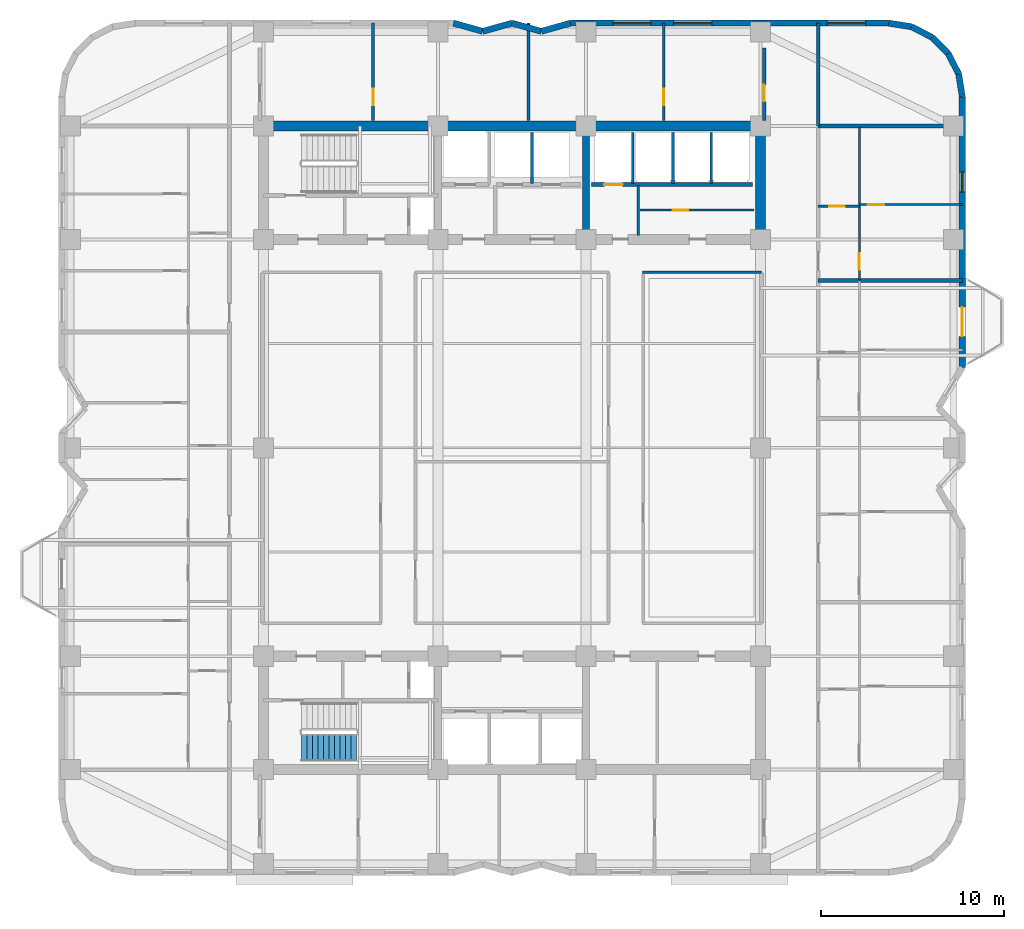
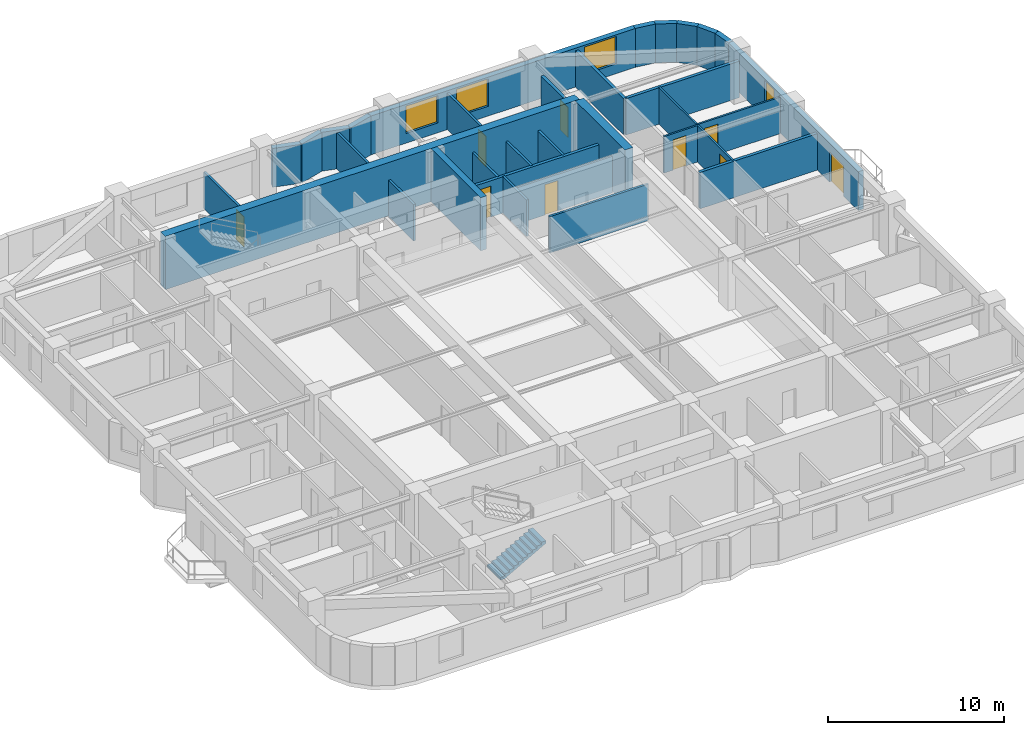
# One storey, part 7 of 11: 32 walls, 9 doors, 4 windows, 1 stair flight, 13 openings, 1 element without a shape of its own.
"""IFC4 building model written with IfcOpenShell, lengths in metres."""

from ifc_helpers import new_model, si_unit, direction, frame, frame_2d, origin, place, context, subcontext, project, spatial, polyline, rectangle, outline, extrude, material, layer, layer_set, type_object, element, fill, aggregate, save


model = new_model("IFC4")

# Units and contexts
model_context = context("Model", 3, precision=1e-05, world=origin(), true_north=direction((0.0, 1.0)))
body_context = subcontext(model_context, "Body", "Model", "MODEL_VIEW")
ifc_project = project(units=[si_unit("LENGTHUNIT", "METRE"), si_unit("AREAUNIT", "SQUARE_METRE"), si_unit("VOLUMEUNIT", "CUBIC_METRE"), si_unit("PLANEANGLEUNIT", "RADIAN"), si_unit("MASSUNIT", "GRAM", prefix="KILO")], contexts=[model_context])

# Site, building, storey
site_placement = place(None, origin())
site = spatial("IfcSite", under=ifc_project, at=site_placement, CompositionType="ELEMENT")
building_placement = place(site_placement, origin())
building = spatial("IfcBuilding", under=site, at=building_placement, Name="Svetorya Sky Lyceum", CompositionType="ELEMENT")
storey_placement = place(building_placement, frame((0.0, 0.0, 106.800048828125)))
storey = spatial("IfcBuildingStorey", under=building, at=storey_placement, Name="L26", CompositionType="ELEMENT", Elevation=106.800048828125)

# Walls
ifc_material_1 = material(Name="Concrete C40/50", Category="concrete")
ifc_layer_1 = layer(ifc_material_1, 0.39990234375)
ifc_layer_set_1 = layer_set([ifc_layer_1], Name="Concrete C40/50")
wall_type_1 = type_object("IfcWallType", Name="WL-CORE-400", PredefinedType="SHEAR", material=ifc_layer_set_1)
wall_1_placement = place(storey_placement, frame((43.25, 39.875, 0.0), z_axis=(0.0, 0.0, 1.0), x_axis=(0.0, 1.0, 0.0)))
element("IfcWall", 1, at=wall_1_placement, inside=storey, type_object=wall_type_1, Name="L26 NC Internal Shear Web WEB2", PredefinedType="SHEAR", context=body_context, shape_type="SweptSolid", body=[
    extrude(rectangle(XDim=5.64990234375, YDim=0.39990234375, at=frame_2d((2.824951171875, 0.0))), origin(), (0.0, 0.0, 1.0), 3.699951171875),
])
ifc_material_2 = material(Name="Concrete C60/75", Category="concrete")
ifc_layer_2 = layer(ifc_material_2, 0.550048828125)
ifc_layer_set_2 = layer_set([ifc_layer_2], Name="Concrete C60/75")
wall_type_2 = type_object("IfcWallType", Name="WL-CORE-550", PredefinedType="SHEAR", material=ifc_layer_set_2)
wall_2_placement = place(storey_placement, frame((25.60009765625, 45.800048828125, 0.0), z_axis=(0.0, 0.0, 1.0), x_axis=(1.0, 0.0, 0.0)))
element("IfcWall", 2, at=wall_2_placement, inside=storey, type_object=wall_type_2, Name="L26 NC Outer Core Shear Wall", PredefinedType="SHEAR", context=body_context, shape_type="SweptSolid", body=[
    extrude(rectangle(XDim=27.199951171875, YDim=0.550048828125, at=frame_2d((13.60009765625, 0.0))), origin(), (0.0, 0.0, 1.0), 3.699951171875),
])
wall_3_placement = place(storey_placement, frame((52.800048828125, 39.875, 0.0), z_axis=(0.0, 0.0, 1.0), x_axis=(0.0, 1.0, 0.0)))
element("IfcWall", 3, at=wall_3_placement, inside=storey, type_object=wall_type_2, Name="L26 NC East Core Shear Wall", PredefinedType="SHEAR", context=body_context, shape_type="SweptSolid", body=[
    extrude(rectangle(XDim=5.64990234375, YDim=0.550048828125, at=frame_2d((2.824951171875, 0.0))), origin(), (0.0, 0.0, 1.0), 3.699951171875),
])

# Wall, openings, door, window
ifc_material_3 = material(Name="Putilovo limestone rainscreen on autoclaved cellular masonry", Category="masonry")
ifc_layer_3 = layer(ifc_material_3, 0.340087890625)
ifc_layer_set_3 = layer_set([ifc_layer_3], Name="Putilovo limestone rainscreen on autoclaved cellular masonry")
wall_type_3 = type_object("IfcWallType", Name="WL-EXT-340", PredefinedType="SOLIDWALL", material=ifc_layer_set_3)
wall_4_placement = place(storey_placement, frame((63.830078125, 32.60009765625, 0.0), z_axis=(0.0, 0.0, 1.0), x_axis=(0.0, 1.0, 0.0)))
wall_4 = element("IfcWall", 4, at=wall_4_placement, inside=storey, type_object=wall_type_3, Name="L26 Limestone Exterior Wall 23M", PredefinedType="SOLIDWALL", context=body_context, shape_type="SweptSolid", body=[
    extrude(rectangle(XDim=14.7998046875, YDim=0.340087890625, at=frame_2d((7.39990234375, 0.0))), origin(), (0.0, 0.0, 1.0), 2.699951171875),
])
opening_1_placement = place(wall_4_placement, frame((1.699951171875, 0.0, 0.0)))
opening_1 = element("IfcOpeningElement", 5, at=opening_1_placement, cuts=wall_4, Name="Opening D-BL1", PredefinedType="OPENING", context=body_context, shape_type="SweptSolid", body=[
    extrude(rectangle(XDim=1.60009765625, YDim=2.10009765625, at=frame_2d((0.800048828125, 1.050048828125))), frame((0.0, 0.179931640625, 0.0), z_axis=(0.0, -1.0, 0.0), x_axis=(1.0, 0.0, 0.0)), (0.0, 0.0, 1.0), 0.360107421875),
])
opening_2_placement = place(wall_4_placement, frame((9.58740234375, 0.0, 0.929931640625)))
opening_2 = element("IfcOpeningElement", 6, at=opening_2_placement, cuts=wall_4, Name="Opening W-R3", PredefinedType="OPENING", context=body_context, shape_type="SweptSolid", body=[
    extrude(rectangle(XDim=1.10009765625, YDim=1.64990234375, at=frame_2d((0.550048828125, 0.824951171875))), frame((0.0, 0.179931640625, 0.0), z_axis=(0.0, -1.0, 0.0), x_axis=(1.0, 0.0, 0.0)), (0.0, 0.0, 1.0), 0.360107421875),
])
ifc_material_4 = material(Name="Insulated glazed aluminium balcony door", Category="aluminium")
door_type_1 = type_object("IfcDoorType", Name="DR-BAL-1600", OperationType="DOUBLE_DOOR_SINGLE_SWING", PredefinedType="DOOR", material=ifc_material_4)
door_1_placement = place(opening_1_placement, origin())
door_1 = element("IfcDoor", 7, at=door_1_placement, inside=storey, type_object=door_type_1, Name="L26 Balcony BAL-E1 Door", OperationType="DOUBLE_DOOR_SINGLE_SWING", OverallHeight=2.10009765625, OverallWidth=1.60009765625, PredefinedType="DOOR", context=body_context, shape_type="SweptSolid", body=[
    extrude(rectangle(XDim=1.60009765625, YDim=2.10009765625, at=frame_2d((0.800048828125, 1.050048828125))), frame((0.0, 0.02490234375, 0.0), z_axis=(0.0, -1.0, 0.0), x_axis=(1.0, 0.0, 0.0)), (0.0, 0.0, 1.0), 0.050048828125),
])
fill(opening_1, door_1)
ifc_material_5 = material(Name="Thermally broken aluminium frame with triple low-E glazing", Category="aluminium")
window_type_1 = type_object("IfcWindowType", Name="WN-RES-110", PartitioningType="SINGLE_PANEL", PredefinedType="WINDOW", material=ifc_material_5)
window_1_placement = place(opening_2_placement, origin())
window_1 = element("IfcWindow", 8, at=window_1_placement, inside=storey, type_object=window_type_1, Name="L26 Facade Window W-R3.23M.1", OverallHeight=1.64990234375, OverallWidth=1.10009765625, PartitioningType="SINGLE_PANEL", PredefinedType="WINDOW", context=body_context, shape_type="SweptSolid", body=[
    extrude(rectangle(XDim=1.10009765625, YDim=1.64990234375, at=frame_2d((0.550048828125, 0.824951171875))), frame((0.0, 0.030029296875, 0.0), z_axis=(0.0, -1.0, 0.0), x_axis=(1.0, 0.0, 0.0)), (0.0, 0.0, 1.0), 0.06005859375),
])
fill(opening_2, window_1)

# Walls
for number, where, z_axis, x_axis, name in (
    (9, (63.830078125, 47.39990234375, 0.0), (0.0, 0.0, 1.0), (-0.15644975923, 0.987685918112, 0.0), "L26 Limestone Exterior Wall 24M"),
    (10, (63.6328125, 48.645263671875, 0.0), (0.0, 0.0, 1.0), (-0.454015689056, 0.890993689142, 0.0), "L26 Limestone Exterior Wall 25M"),
    (11, (63.060302734375, 49.768798828125, 0.0), (0.0, 0.0, 1.0), (-0.707106781187, 0.707106781187, 0.0), "L26 Limestone Exterior Wall 26M"),
):
    element("IfcWall", number, at=place(storey_placement, frame(where, z_axis=z_axis, x_axis=x_axis)), inside=storey, type_object=wall_type_3, Name=name, PredefinedType="SOLIDWALL", context=body_context, shape_type="SweptSolid", body=[
        extrude(rectangle(XDim=1.260986328125, YDim=0.340087890625, at=frame_2d((0.63037109375, 0.0))), origin(), (0.0, 0.0, 1.0), 2.699951171875),
    ])
for number, where, z_axis, x_axis, name in (
    (12, (62.168701171875, 50.660400390625, 0.0), (0.0, 0.0, 1.0), (-0.890953769915, 0.454094020963, 0.0), "L26 Limestone Exterior Wall 27M"),
    (13, (61.04541015625, 51.23291015625, 0.0), (0.0, 0.0, 1.0), (-0.98771582066, 0.156260864002, 0.0), "L26 Limestone Exterior Wall 28M"),
):
    element("IfcWall", number, at=place(storey_placement, frame(where, z_axis=z_axis, x_axis=x_axis)), inside=storey, type_object=wall_type_3, Name=name, PredefinedType="SOLIDWALL", context=body_context, shape_type="SweptSolid", body=[
        extrude(rectangle(XDim=1.2607421875, YDim=0.340087890625, at=frame_2d((0.63037109375, 0.0))), origin(), (0.0, 0.0, 1.0), 2.699951171875),
    ])

# Wall, openings, windows
wall_5_placement = place(storey_placement, frame((59.800048828125, 51.429931640625, 0.0), z_axis=(0.0, 0.0, 1.0), x_axis=(-1.0, 0.0, 0.0)))
wall_5 = element("IfcWall", 14, at=wall_5_placement, inside=storey, type_object=wall_type_3, Name="L26 Limestone Exterior Wall 29M", PredefinedType="SOLIDWALL", context=body_context, shape_type="SweptSolid", body=[
    extrude(rectangle(XDim=17.400146484375, YDim=0.340087890625, at=frame_2d((8.7001953125, 0.0))), origin(), (0.0, 0.0, 1.0), 2.699951171875),
])
opening_3_placement = place(wall_5_placement, frame((1.262451171875, 0.0, 0.679931640625)))
opening_3 = element("IfcOpeningElement", 15, at=opening_3_placement, cuts=wall_5, Name="Opening W-R0", PredefinedType="OPENING", context=body_context, shape_type="SweptSolid", body=[
    extrude(rectangle(XDim=2.10009765625, YDim=1.89990234375, at=frame_2d((1.050048828125, 0.949951171875))), frame((0.0, 0.179931640625, 0.0), z_axis=(0.0, -1.0, 0.0), x_axis=(1.0, 0.0, 0.0)), (0.0, 0.0, 1.0), 0.360107421875),
])
opening_4_placement = place(wall_5_placement, frame((9.66259765625, 0.0, 0.679931640625)))
opening_4 = element("IfcOpeningElement", 16, at=opening_4_placement, cuts=wall_5, Name="Opening W-R0", PredefinedType="OPENING", context=body_context, shape_type="SweptSolid", body=[
    extrude(rectangle(XDim=2.10009765625, YDim=1.89990234375, at=frame_2d((1.050048828125, 0.949951171875))), frame((0.0, 0.179931640625, 0.0), z_axis=(0.0, -1.0, 0.0), x_axis=(1.0, 0.0, 0.0)), (0.0, 0.0, 1.0), 0.360107421875),
])
opening_5_placement = place(wall_5_placement, frame((12.987548828125, 0.0, 0.679931640625)))
opening_5 = element("IfcOpeningElement", 17, at=opening_5_placement, cuts=wall_5, Name="Opening W-R0", PredefinedType="OPENING", context=body_context, shape_type="SweptSolid", body=[
    extrude(rectangle(XDim=2.10009765625, YDim=1.89990234375, at=frame_2d((1.050048828125, 0.949951171875))), frame((0.0, 0.179931640625, 0.0), z_axis=(0.0, -1.0, 0.0), x_axis=(1.0, 0.0, 0.0)), (0.0, 0.0, 1.0), 0.360107421875),
])
window_type_2 = type_object("IfcWindowType", Name="WN-RES-210", PartitioningType="TRIPLE_PANEL_VERTICAL", PredefinedType="WINDOW", material=ifc_material_5)
window_2_placement = place(opening_3_placement, origin())
window_2 = element("IfcWindow", 18, at=window_2_placement, inside=storey, type_object=window_type_2, Name="L26 Facade Window W-R0.29M.1", OverallHeight=1.89990234375, OverallWidth=2.10009765625, PartitioningType="SINGLE_PANEL", PredefinedType="WINDOW", context=body_context, shape_type="SweptSolid", body=[
    extrude(rectangle(XDim=2.10009765625, YDim=1.89990234375, at=frame_2d((1.050048828125, 0.949951171875))), frame((0.0, 0.030029296875, 0.0), z_axis=(0.0, -1.0, 0.0), x_axis=(1.0, 0.0, 0.0)), (0.0, 0.0, 1.0), 0.06005859375),
])
fill(opening_3, window_2)
window_3_placement = place(opening_4_placement, origin())
window_3 = element("IfcWindow", 19, at=window_3_placement, inside=storey, type_object=window_type_2, Name="L26 Facade Window W-R0.29M.2", OverallHeight=1.89990234375, OverallWidth=2.10009765625, PartitioningType="SINGLE_PANEL", PredefinedType="WINDOW", context=body_context, shape_type="SweptSolid", body=[
    extrude(rectangle(XDim=2.10009765625, YDim=1.89990234375, at=frame_2d((1.050048828125, 0.949951171875))), frame((0.0, 0.030029296875, 0.0), z_axis=(0.0, -1.0, 0.0), x_axis=(1.0, 0.0, 0.0)), (0.0, 0.0, 1.0), 0.06005859375),
])
fill(opening_4, window_3)
window_4_placement = place(opening_5_placement, origin())
window_4 = element("IfcWindow", 20, at=window_4_placement, inside=storey, type_object=window_type_2, Name="L26 Facade Window W-R0.29M.3", OverallHeight=1.89990234375, OverallWidth=2.10009765625, PartitioningType="SINGLE_PANEL", PredefinedType="WINDOW", context=body_context, shape_type="SweptSolid", body=[
    extrude(rectangle(XDim=2.10009765625, YDim=1.89990234375, at=frame_2d((1.050048828125, 0.949951171875))), frame((0.0, 0.030029296875, 0.0), z_axis=(0.0, -1.0, 0.0), x_axis=(1.0, 0.0, 0.0)), (0.0, 0.0, 1.0), 0.06005859375),
])
fill(opening_5, window_4)

# Walls
wall_6_placement = place(storey_placement, frame((42.39990234375, 51.429931640625, 0.0), z_axis=(0.0, 0.0, 1.0), x_axis=(-0.962652136636, -0.270741322725, 0.0)))
element("IfcWall", 21, at=wall_6_placement, inside=storey, type_object=wall_type_3, Name="L26 Limestone Exterior Wall 30M", PredefinedType="SOLIDWALL", context=body_context, shape_type="SweptSolid", body=[
    extrude(rectangle(XDim=1.661865234375, YDim=0.340087890625, at=frame_2d((0.8310546875, 0.0))), origin(), (0.0, 0.0, 1.0), 2.699951171875),
])
wall_7_placement = place(storey_placement, frame((40.800048828125, 50.97998046875, 0.0), z_axis=(0.0, 0.0, 1.0), x_axis=(-0.962662902433, 0.270703040766, 0.0)))
element("IfcWall", 22, at=wall_7_placement, inside=storey, type_object=wall_type_3, Name="L26 Limestone Exterior Wall 31M", PredefinedType="SOLIDWALL", context=body_context, shape_type="SweptSolid", body=[
    extrude(rectangle(XDim=1.662109375, YDim=0.340087890625, at=frame_2d((0.8310546875, 0.0))), origin(), (0.0, 0.0, 1.0), 2.699951171875),
])
wall_8_placement = place(storey_placement, frame((39.199951171875, 51.429931640625, 0.0), z_axis=(0.0, 0.0, 1.0), x_axis=(-0.962652136636, -0.270741322725, 0.0)))
element("IfcWall", 23, at=wall_8_placement, inside=storey, type_object=wall_type_3, Name="L26 Limestone Exterior Wall 32M", PredefinedType="SOLIDWALL", context=body_context, shape_type="SweptSolid", body=[
    extrude(rectangle(XDim=1.661865234375, YDim=0.340087890625, at=frame_2d((0.8310546875, 0.0))), origin(), (0.0, 0.0, 1.0), 2.699951171875),
])
wall_9_placement = place(storey_placement, frame((37.60009765625, 50.97998046875, 0.0), z_axis=(0.0, 0.0, 1.0), x_axis=(-0.962662902433, 0.270703040766, 0.0)))
element("IfcWall", 24, at=wall_9_placement, inside=storey, type_object=wall_type_3, Name="L26 Limestone Exterior Wall 33M", PredefinedType="SOLIDWALL", context=body_context, shape_type="SweptSolid", body=[
    extrude(rectangle(XDim=1.662109375, YDim=0.340087890625, at=frame_2d((0.8310546875, 0.0))), origin(), (0.0, 0.0, 1.0), 2.699951171875),
])

# Wall, opening, door
ifc_material_6 = material(Name="Twin-stud galvanized framing with double fireboard", Category="gypsum")
ifc_layer_4 = layer(ifc_material_6, 0.1201171875)
ifc_layer_set_4 = layer_set([ifc_layer_4], Name="Twin-stud galvanized framing with double fireboard")
wall_type_4 = type_object("IfcWallType", Name="WL-PART-120", PredefinedType="PARTITIONING", material=ifc_layer_set_4)
wall_10_placement = place(storey_placement, frame((46.199951171875, 41.199951171875, 0.0), z_axis=(0.0, 0.0, 1.0), x_axis=(1.0, 0.0, 0.0)))
wall_10 = element("IfcWall", 25, at=wall_10_placement, inside=storey, type_object=wall_type_4, Name="L26 Interior Partition NC-Z2EH", PredefinedType="PARTITIONING", context=body_context, shape_type="SweptSolid", body=[
    extrude(rectangle(XDim=6.25, YDim=0.1201171875, at=frame_2d((3.125, 0.0))), origin(), (0.0, 0.0, 1.0), 2.530029296875),
])
opening_6_placement = place(wall_10_placement, frame((1.800048828125, 0.0, 0.0)))
opening_6 = element("IfcOpeningElement", 26, at=opening_6_placement, cuts=wall_10, Name="Opening D-CWC1", PredefinedType="OPENING", context=body_context, shape_type="SweptSolid", body=[
    extrude(rectangle(XDim=0.85009765625, YDim=2.10009765625, at=frame_2d((0.425048828125, 1.050048828125))), frame((0.0, 0.070068359375, 0.0), z_axis=(0.0, -1.0, 0.0), x_axis=(1.0, 0.0, 0.0)), (0.0, 0.0, 1.0), 0.14013671875),
])
ifc_material_7 = material(Name="Fire-rated galvanized steel core service closet door", Category="steel")
door_type_2 = type_object("IfcDoorType", Name="DR-CWET-850", OperationType="SINGLE_SWING_LEFT", PredefinedType="DOOR", material=ifc_material_7)
door_2_placement = place(opening_6_placement, origin())
door_2 = element("IfcDoor", 27, at=door_2_placement, inside=storey, type_object=door_type_2, Name="L26 Rear Mid-Rise Store Door", OperationType="SINGLE_SWING_LEFT", OverallHeight=2.10009765625, OverallWidth=0.85009765625, PredefinedType="DOOR", context=body_context, shape_type="SweptSolid", body=[
    extrude(rectangle(XDim=0.85009765625, YDim=2.10009765625, at=frame_2d((0.425048828125, 1.050048828125))), frame((0.0, 0.02490234375, 0.0), z_axis=(0.0, -1.0, 0.0), x_axis=(1.0, 0.0, 0.0)), (0.0, 0.0, 1.0), 0.050048828125),
])
fill(opening_6, door_2)

wall_11_placement = place(storey_placement, frame((55.949951171875, 41.412109375, 0.0), z_axis=(0.0, 0.0, 1.0), x_axis=(1.0, 0.0, 0.0)))
wall_11 = element("IfcWall", 28, at=wall_11_placement, inside=storey, type_object=wall_type_4, Name="L26 Interior Partition E4-WH1", PredefinedType="PARTITIONING", context=body_context, shape_type="SweptSolid", body=[
    extrude(rectangle(XDim=2.25, YDim=0.1201171875, at=frame_2d((1.125, 0.0))), origin(), (0.0, 0.0, 1.0), 2.530029296875),
])
opening_7_placement = place(wall_11_placement, frame((0.60009765625, 0.0, 0.0)))
opening_7 = element("IfcOpeningElement", 29, at=opening_7_placement, cuts=wall_11, Name="Opening D-BT1", PredefinedType="OPENING", context=body_context, shape_type="SweptSolid", body=[
    extrude(rectangle(XDim=0.85009765625, YDim=2.10009765625, at=frame_2d((0.425048828125, 1.050048828125))), frame((0.0, 0.070068359375, 0.0), z_axis=(0.0, -1.0, 0.0), x_axis=(1.0, 0.0, 0.0)), (0.0, 0.0, 1.0), 0.14013671875),
])
ifc_material_8 = material(Name="Moisture-resistant laminate bathroom door")
door_type_3 = type_object("IfcDoorType", Name="DR-WET-850", OperationType="SINGLE_SWING_LEFT", PredefinedType="DOOR", material=ifc_material_8)
door_3_placement = place(opening_7_placement, origin())
door_3 = element("IfcDoor", 30, at=door_3_placement, inside=storey, type_object=door_type_3, Name="Apartment E4 Bathroom Door", OperationType="SINGLE_SWING_LEFT", OverallHeight=2.10009765625, OverallWidth=0.85009765625, PredefinedType="DOOR", context=body_context, shape_type="SweptSolid", body=[
    extrude(rectangle(XDim=0.85009765625, YDim=2.10009765625, at=frame_2d((0.425048828125, 1.050048828125))), frame((0.0, 0.02490234375, 0.0), z_axis=(0.0, -1.0, 0.0), x_axis=(1.0, 0.0, 0.0)), (0.0, 0.0, 1.0), 0.050048828125),
])
fill(opening_7, door_3)

wall_12_placement = place(storey_placement, frame((58.199951171875, 41.501953125, 0.0), z_axis=(0.0, 0.0, 1.0), x_axis=(1.0, 0.0, 0.0)))
wall_12 = element("IfcWall", 31, at=wall_12_placement, inside=storey, type_object=wall_type_4, Name="L26 Interior Partition E4-WL1", PredefinedType="PARTITIONING", context=body_context, shape_type="SweptSolid", body=[
    extrude(rectangle(XDim=5.630126953125, YDim=0.1201171875, at=frame_2d((2.81494140625, 0.0))), origin(), (0.0, 0.0, 1.0), 2.530029296875),
])
opening_8_placement = place(wall_12_placement, frame((0.449951171875, 0.0, 0.0)))
opening_8 = element("IfcOpeningElement", 32, at=opening_8_placement, cuts=wall_12, Name="Opening D-RM1", PredefinedType="OPENING", context=body_context, shape_type="SweptSolid", body=[
    extrude(rectangle(XDim=0.89990234375, YDim=2.10009765625, at=frame_2d((0.449951171875, 1.050048828125))), frame((0.0, 0.070068359375, 0.0), z_axis=(0.0, -1.0, 0.0), x_axis=(1.0, 0.0, 0.0)), (0.0, 0.0, 1.0), 0.14013671875),
])
ifc_material_9 = material(Name="Lacquered birch veneer internal door")
door_type_4 = type_object("IfcDoorType", Name="DR-INT-900", OperationType="SINGLE_SWING_LEFT", PredefinedType="DOOR", material=ifc_material_9)
door_4_placement = place(opening_8_placement, origin())
door_4 = element("IfcDoor", 33, at=door_4_placement, inside=storey, type_object=door_type_4, Name="Apartment E4 Bedroom 1 Door", OperationType="SINGLE_SWING_LEFT", OverallHeight=2.10009765625, OverallWidth=0.89990234375, PredefinedType="DOOR", context=body_context, shape_type="SweptSolid", body=[
    extrude(rectangle(XDim=0.89990234375, YDim=2.10009765625, at=frame_2d((0.449951171875, 1.050048828125))), frame((0.0, 0.02490234375, 0.0), z_axis=(0.0, -1.0, 0.0), x_axis=(1.0, 0.0, 0.0)), (0.0, 0.0, 1.0), 0.050048828125),
])
fill(opening_8, door_4)

wall_13_placement = place(storey_placement, frame((58.199951171875, 37.39208984375, 0.0), z_axis=(0.0, 0.0, 1.0), x_axis=(0.0, 1.0, 0.0)))
wall_13 = element("IfcWall", 34, at=wall_13_placement, inside=storey, type_object=wall_type_4, Name="L26 Interior Partition E4-WV", PredefinedType="PARTITIONING", context=body_context, shape_type="SweptSolid", body=[
    extrude(rectangle(XDim=8.367919921875, YDim=0.1201171875, at=frame_2d((4.18408203125, 0.0))), origin(), (0.0, 0.0, 1.0), 2.530029296875),
])
opening_9_placement = place(wall_13_placement, frame((0.56005859375, 0.0, 0.0)))
opening_9 = element("IfcOpeningElement", 35, at=opening_9_placement, cuts=wall_13, Name="Opening D-RM1", PredefinedType="OPENING", context=body_context, shape_type="SweptSolid", body=[
    extrude(rectangle(XDim=0.89990234375, YDim=2.10009765625, at=frame_2d((0.449951171875, 1.050048828125))), frame((0.0, 0.070068359375, 0.0), z_axis=(0.0, -1.0, 0.0), x_axis=(1.0, 0.0, 0.0)), (0.0, 0.0, 1.0), 0.14013671875),
])
door_5_placement = place(opening_9_placement, origin())
door_5 = element("IfcDoor", 36, at=door_5_placement, inside=storey, type_object=door_type_4, Name="Apartment E4 Living Door", OperationType="SINGLE_SWING_RIGHT", OverallHeight=2.10009765625, OverallWidth=0.89990234375, PredefinedType="DOOR", context=body_context, shape_type="SweptSolid", body=[
    extrude(rectangle(XDim=0.89990234375, YDim=2.10009765625, at=frame_2d((0.449951171875, 1.050048828125))), frame((0.0, 0.02490234375, 0.0), z_axis=(0.0, -1.0, 0.0), x_axis=(1.0, 0.0, 0.0)), (0.0, 0.0, 1.0), 0.050048828125),
])
fill(opening_9, door_5)

# Walls
ifc_material_10 = material(Name="Autoclaved cellular masonry blockwork with acoustic render", Category="masonry")
ifc_layer_5 = layer(ifc_material_10, 0.14990234375)
ifc_layer_set_5 = layer_set([ifc_layer_5], Name="Autoclaved cellular masonry blockwork with acoustic render")
wall_type_5 = type_object("IfcWallType", Name="WL-PART-150", PredefinedType="PARTITIONING", material=ifc_layer_set_5)
for number, where, z_axis, x_axis, name in (
    (37, (40.300048828125, 42.64990234375, 0.0), (0.0, 0.0, 1.0), (0.0, 1.0, 0.0), "L26 Interior Partition NC-PM-D1"),
    (38, (45.800048828125, 42.64990234375, 0.0), (0.0, 0.0, 1.0), (0.0, 1.0, 0.0), "L26 Interior Partition NC-PM3-D"),
    (39, (48.0, 42.64990234375, 0.0), (0.0, 0.0, 1.0), (0.0, 1.0, 0.0), "L26 Interior Partition NC-PH-D1"),
    (40, (50.10009765625, 42.64990234375, 0.0), (0.0, 0.0, 1.0), (0.0, 1.0, 0.0), "L26 Interior Partition NC-PH-D2"),
):
    element("IfcWall", number, at=place(storey_placement, frame(where, z_axis=z_axis, x_axis=x_axis)), inside=storey, type_object=wall_type_5, Name=name, PredefinedType="PARTITIONING", context=body_context, shape_type="SweptSolid", body=[
        extrude(rectangle(XDim=2.800048828125, YDim=0.14990234375, at=frame_2d((1.39990234375, 0.0))), origin(), (0.0, 0.0, 1.0), 2.530029296875),
    ])
wall_14_placement = place(storey_placement, frame((46.10009765625, 39.820068359375, 0.0), z_axis=(0.0, 0.0, 1.0), x_axis=(0.0, 1.0, 0.0)))
element("IfcWall", 41, at=wall_14_placement, inside=storey, type_object=wall_type_5, Name="L26 Interior Partition NC-PM3SEP", PredefinedType="PARTITIONING", context=body_context, shape_type="SweptSolid", body=[
    extrude(rectangle(XDim=2.72998046875, YDim=0.14990234375, at=frame_2d((1.364990234375, 0.0))), origin(), (0.0, 0.0, 1.0), 2.530029296875),
])
wall_15_placement = place(storey_placement, frame((46.35009765625, 37.800048828125, 0.0), z_axis=(0.0, 0.0, 1.0), x_axis=(1.0, 0.0, 0.0)))
element("IfcWall", 42, at=wall_15_placement, inside=storey, type_object=wall_type_5, Name="L26 Interior Partition RL-CN-E", PredefinedType="PARTITIONING", context=body_context, shape_type="SweptSolid", body=[
    extrude(rectangle(XDim=6.5, YDim=0.14990234375, at=frame_2d((3.25, 0.0))), origin(), (0.0, 0.0, 1.0), 2.530029296875),
])

# Wall, opening, door
wall_16_placement = place(storey_placement, frame((31.60009765625, 46.10009765625, 0.0), z_axis=(0.0, 0.0, 1.0), x_axis=(0.0, 1.0, 0.0)))
wall_16 = element("IfcWall", 43, at=wall_16_placement, inside=storey, type_object=wall_type_5, Name="L26 Interior Partition N4-D1", PredefinedType="PARTITIONING", context=body_context, shape_type="SweptSolid", body=[
    extrude(rectangle(XDim=5.329833984375, YDim=0.14990234375, at=frame_2d((2.6650390625, 0.0))), origin(), (0.0, 0.0, 1.0), 2.530029296875),
])
opening_10_placement = place(wall_16_placement, frame((0.85009765625, 0.0, 0.0)))
opening_10 = element("IfcOpeningElement", 44, at=opening_10_placement, cuts=wall_16, Name="Opening D-RM1", PredefinedType="OPENING", context=body_context, shape_type="SweptSolid", body=[
    extrude(rectangle(XDim=0.89990234375, YDim=2.10009765625, at=frame_2d((0.449951171875, 1.050048828125))), frame((0.0, 0.0849609375, 0.0), z_axis=(0.0, -1.0, 0.0), x_axis=(1.0, 0.0, 0.0)), (0.0, 0.0, 1.0), 0.169921875),
])
door_6_placement = place(opening_10_placement, origin())
door_6 = element("IfcDoor", 45, at=door_6_placement, inside=storey, type_object=door_type_4, Name="L26 North Suite Door 1", OperationType="SINGLE_SWING_RIGHT", OverallHeight=2.10009765625, OverallWidth=0.89990234375, PredefinedType="DOOR", context=body_context, shape_type="SweptSolid", body=[
    extrude(rectangle(XDim=0.89990234375, YDim=2.10009765625, at=frame_2d((0.449951171875, 1.050048828125))), frame((0.0, 0.02490234375, 0.0), z_axis=(0.0, -1.0, 0.0), x_axis=(1.0, 0.0, 0.0)), (0.0, 0.0, 1.0), 0.050048828125),
])
fill(opening_10, door_6)

# Wall
wall_17_placement = place(storey_placement, frame((40.10009765625, 46.10009765625, 0.0), z_axis=(0.0, 0.0, 1.0), x_axis=(0.0, 1.0, 0.0)))
element("IfcWall", 46, at=wall_17_placement, inside=storey, type_object=wall_type_5, Name="L26 Interior Partition N4-D2", PredefinedType="PARTITIONING", context=body_context, shape_type="SweptSolid", body=[
    extrude(rectangle(XDim=5.329833984375, YDim=0.14990234375, at=frame_2d((2.6650390625, 0.0))), origin(), (0.0, 0.0, 1.0), 2.530029296875),
])

# Wall, opening, door
wall_18_placement = place(storey_placement, frame((47.5, 46.10009765625, 0.0), z_axis=(0.0, 0.0, 1.0), x_axis=(0.0, 1.0, 0.0)))
wall_18 = element("IfcWall", 47, at=wall_18_placement, inside=storey, type_object=wall_type_5, Name="L26 Interior Partition N4-D3", PredefinedType="PARTITIONING", context=body_context, shape_type="SweptSolid", body=[
    extrude(rectangle(XDim=5.329833984375, YDim=0.14990234375, at=frame_2d((2.6650390625, 0.0))), origin(), (0.0, 0.0, 1.0), 2.530029296875),
])
opening_11_placement = place(wall_18_placement, frame((0.85009765625, 0.0, 0.0)))
opening_11 = element("IfcOpeningElement", 48, at=opening_11_placement, cuts=wall_18, Name="Opening D-RM1", PredefinedType="OPENING", context=body_context, shape_type="SweptSolid", body=[
    extrude(rectangle(XDim=0.89990234375, YDim=2.10009765625, at=frame_2d((0.449951171875, 1.050048828125))), frame((0.0, 0.0849609375, 0.0), z_axis=(0.0, -1.0, 0.0), x_axis=(1.0, 0.0, 0.0)), (0.0, 0.0, 1.0), 0.169921875),
])
door_7_placement = place(opening_11_placement, origin())
door_7 = element("IfcDoor", 49, at=door_7_placement, inside=storey, type_object=door_type_4, Name="L26 North Suite Door 3", OperationType="SINGLE_SWING_RIGHT", OverallHeight=2.10009765625, OverallWidth=0.89990234375, PredefinedType="DOOR", context=body_context, shape_type="SweptSolid", body=[
    extrude(rectangle(XDim=0.89990234375, YDim=2.10009765625, at=frame_2d((0.449951171875, 1.050048828125))), frame((0.0, 0.02490234375, 0.0), z_axis=(0.0, -1.0, 0.0), x_axis=(1.0, 0.0, 0.0)), (0.0, 0.0, 1.0), 0.050048828125),
])
fill(opening_11, door_7)

ifc_material_11 = material(Name="Autoclaved cellular masonry blockwork with gypsum plaster", Category="masonry")
ifc_layer_6 = layer(ifc_material_11, 0.199951171875)
ifc_layer_set_6 = layer_set([ifc_layer_6], Name="Autoclaved cellular masonry blockwork with gypsum plaster")
wall_type_6 = type_object("IfcWallType", Name="WL-PART-200", PredefinedType="PARTITIONING", material=ifc_layer_set_6)
wall_19_placement = place(storey_placement, frame((52.35009765625, 42.60009765625, 0.0), z_axis=(0.0, 0.0, 1.0), x_axis=(-1.0, 0.0, 0.0)))
wall_19 = element("IfcWall", 50, at=wall_19_placement, inside=storey, type_object=wall_type_6, Name="L26 Interior Partition NC-PHEW", PredefinedType="PARTITIONING", context=body_context, shape_type="SweptSolid", body=[
    extrude(rectangle(XDim=8.800048828125, YDim=0.199951171875, at=frame_2d((4.39990234375, 0.0))), origin(), (0.0, 0.0, 1.0), 2.530029296875),
])
opening_12_placement = place(wall_19_placement, frame((7.10009765625, 0.0, 0.0)))
opening_12 = element("IfcOpeningElement", 51, at=opening_12_placement, cuts=wall_19, Name="Opening LD-P1", PredefinedType="OPENING", context=body_context, shape_type="SweptSolid", body=[
    extrude(rectangle(XDim=1.0, YDim=2.14990234375, at=frame_2d((0.5, 1.074951171875))), frame((0.0, 0.10986328125, 0.0), z_axis=(0.0, -1.0, 0.0), x_axis=(1.0, 0.0, 0.0)), (0.0, 0.0, 1.0), 0.219970703125),
])
ifc_material_12 = material(Name="Champagne-anodized stainless passenger lift landing door")
door_type_5 = type_object("IfcDoorType", Name="DR-LIFT-1000", OperationType="SLIDING_TO_LEFT", PredefinedType="DOOR", material=ifc_material_12)
door_8_placement = place(opening_12_placement, origin())
door_8 = element("IfcDoor", 52, at=door_8_placement, inside=storey, type_object=door_type_5, Name="L26 Passenger Lift PM3 Landing Door", OperationType="SLIDING_TO_LEFT", OverallHeight=2.14990234375, OverallWidth=1.0, PredefinedType="DOOR", context=body_context, shape_type="SweptSolid", body=[
    extrude(rectangle(XDim=1.0, YDim=2.14990234375, at=frame_2d((0.5, 1.074951171875))), frame((0.0, 0.02490234375, 0.0), z_axis=(0.0, -1.0, 0.0), x_axis=(1.0, 0.0, 0.0)), (0.0, 0.0, 1.0), 0.050048828125),
])
fill(opening_12, door_8)

# Walls
wall_20_placement = place(storey_placement, frame((55.949951171875, 37.35205078125, 0.0), z_axis=(0.0, 0.0, 1.0), x_axis=(1.0, 0.0, 0.0)))
element("IfcWall", 53, at=wall_20_placement, inside=storey, type_object=wall_type_6, Name="L26 Interior Partition E-PARTY-3", PredefinedType="PARTITIONING", context=body_context, shape_type="SweptSolid", body=[
    extrude(rectangle(XDim=7.880126953125, YDim=0.199951171875, at=frame_2d((3.93994140625, 0.0))), origin(), (0.0, 0.0, 1.0), 2.530029296875),
])
wall_21_placement = place(storey_placement, frame((55.949951171875, 45.800048828125, 0.0), z_axis=(0.0, 0.0, 1.0), x_axis=(1.0, 0.0, 0.0)))
element("IfcWall", 54, at=wall_21_placement, inside=storey, type_object=wall_type_6, Name="L26 Interior Partition E-CAP-N", PredefinedType="PARTITIONING", context=body_context, shape_type="SweptSolid", body=[
    extrude(rectangle(XDim=7.4599609375, YDim=0.199951171875, at=frame_2d((3.72998046875, 0.0))), origin(), (0.0, 0.0, 1.0), 2.530029296875),
])
wall_22_placement = place(storey_placement, frame((55.949951171875, 45.800048828125, 0.0), z_axis=(0.0, 0.0, 1.0), x_axis=(0.0, 1.0, 0.0)))
element("IfcWall", 55, at=wall_22_placement, inside=storey, type_object=wall_type_6, Name="L26 Interior Partition EC-NE-END", PredefinedType="PARTITIONING", context=body_context, shape_type="SweptSolid", body=[
    extrude(rectangle(XDim=5.6298828125, YDim=0.199951171875, at=frame_2d((2.81494140625, 0.0))), origin(), (0.0, 0.0, 1.0), 2.530029296875),
])

# Wall, opening, door
wall_23_placement = place(storey_placement, frame((53.0, 46.10009765625, 0.0), z_axis=(0.0, 0.0, 1.0), x_axis=(0.0, 1.0, 0.0)))
wall_23 = element("IfcWall", 56, at=wall_23_placement, inside=storey, type_object=wall_type_6, Name="L26 Interior Partition N4-EE", PredefinedType="PARTITIONING", context=body_context, shape_type="SweptSolid", body=[
    extrude(rectangle(XDim=3.97998046875, YDim=0.199951171875, at=frame_2d((1.989990234375, 0.0))), origin(), (0.0, 0.0, 1.0), 2.530029296875),
])
opening_13_placement = place(wall_23_placement, frame((1.050048828125, 0.0, 0.0)))
opening_13 = element("IfcOpeningElement", 57, at=opening_13_placement, cuts=wall_23, Name="Opening D-RM1", PredefinedType="OPENING", context=body_context, shape_type="SweptSolid", body=[
    extrude(rectangle(XDim=0.89990234375, YDim=2.10009765625, at=frame_2d((0.449951171875, 1.050048828125))), frame((0.0, 0.10986328125, 0.0), z_axis=(0.0, -1.0, 0.0), x_axis=(1.0, 0.0, 0.0)), (0.0, 0.0, 1.0), 0.219970703125),
])
door_9_placement = place(opening_13_placement, origin())
door_9 = element("IfcDoor", 58, at=door_9_placement, inside=storey, type_object=door_type_4, Name="L26 NE Office Door", OperationType="SINGLE_SWING_LEFT", OverallHeight=2.10009765625, OverallWidth=0.89990234375, PredefinedType="DOOR", context=body_context, shape_type="SweptSolid", body=[
    extrude(rectangle(XDim=0.89990234375, YDim=2.10009765625, at=frame_2d((0.449951171875, 1.050048828125))), frame((0.0, 0.02490234375, 0.0), z_axis=(0.0, -1.0, 0.0), x_axis=(1.0, 0.0, 0.0)), (0.0, 0.0, 1.0), 0.050048828125),
])
fill(opening_13, door_9)

# Stair, stair flight
stair_type = type_object("IfcStairType", Name="STR-ST-S", PredefinedType="HALF_TURN_STAIR", material=ifc_material_1)
stair_placement = place(storey_placement, origin())
stair = element("IfcStair", 59, at=stair_placement, inside=storey, type_object=stair_type, Name="L26 South Core Smoke-Free Exit Stair N2", PredefinedType="HALF_TURN_STAIR")
stair_flight_type = type_object("IfcStairFlightType", Name="SFL-ST-S", PredefinedType="STRAIGHT", material=ifc_material_1)
stair_flight_placement = place(storey_placement, frame((27.699951171875, 11.800048828125, 0.0), z_axis=(0.0, 0.0, 1.0), x_axis=(1.0, 0.0, 0.0)))
stair_flight = element("IfcStairFlight", 60, at=stair_flight_placement, type_object=stair_flight_type, Name="ST-S flight 1", NumberOfRisers=11, NumberOfTreads=10, PredefinedType="STRAIGHT", RiserHeight=0.168181818, TreadLength=0.3, context=body_context, shape_type="SweptSolid", body=[
    extrude(outline(polyline([(0.0, 0.0), (0.0, 0.168212890625), (0.300048828125, 0.168212890625), (0.300048828125, 0.33642578125), (0.60009765625, 0.33642578125), (0.60009765625, 0.504638671875), (0.89990234375, 0.504638671875), (0.89990234375, 0.672607421875), (1.199951171875, 0.672607421875), (1.199951171875, 0.8408203125), (1.5, 0.8408203125), (1.5, 1.009033203125), (1.800048828125, 1.009033203125), (1.800048828125, 1.17724609375), (2.10009765625, 1.17724609375), (2.10009765625, 1.345458984375), (2.39990234375, 1.345458984375), (2.39990234375, 1.513671875), (2.699951171875, 1.513671875), (2.699951171875, 1.681884765625), (3.0, 1.681884765625), (3.0, 1.85009765625), (3.0, 1.510009765625), (0.306640625, 0.0), (0.0, 0.0)])), frame((0.0, 0.75, 0.0), z_axis=(0.0, -1.0, 0.0), x_axis=(1.0, 0.0, 0.0)), (0.0, 0.0, 1.0), 1.5),
])
aggregate(stair, [stair_flight])

save(model, "model.ifc")
